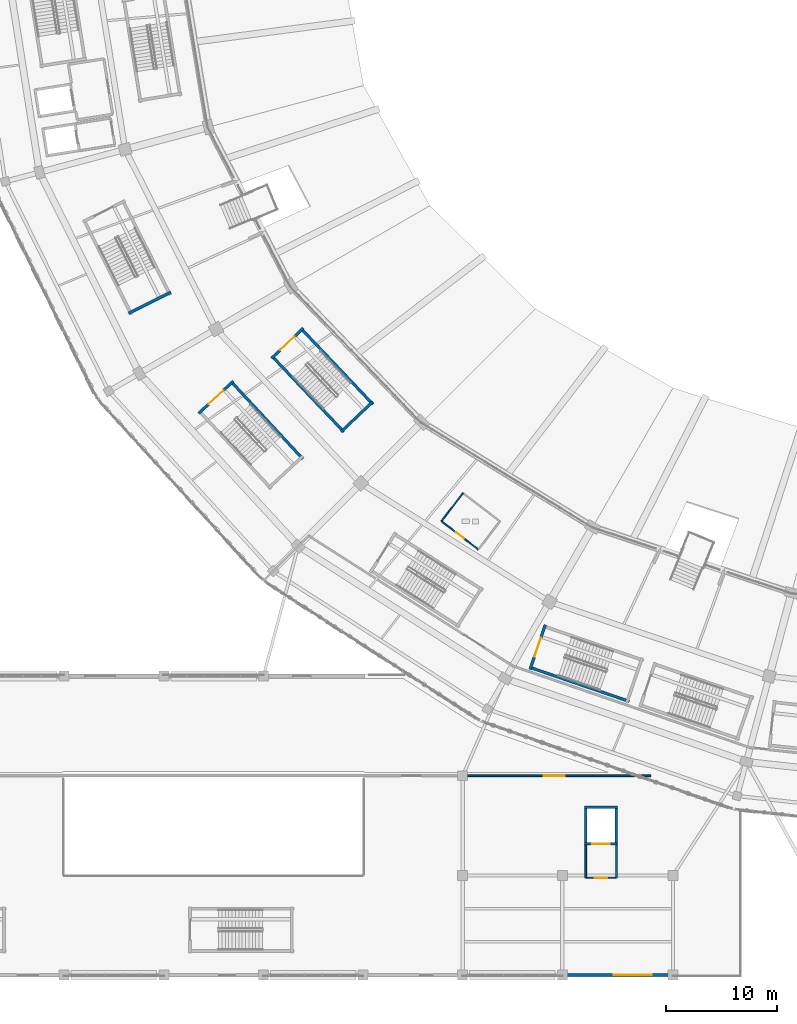
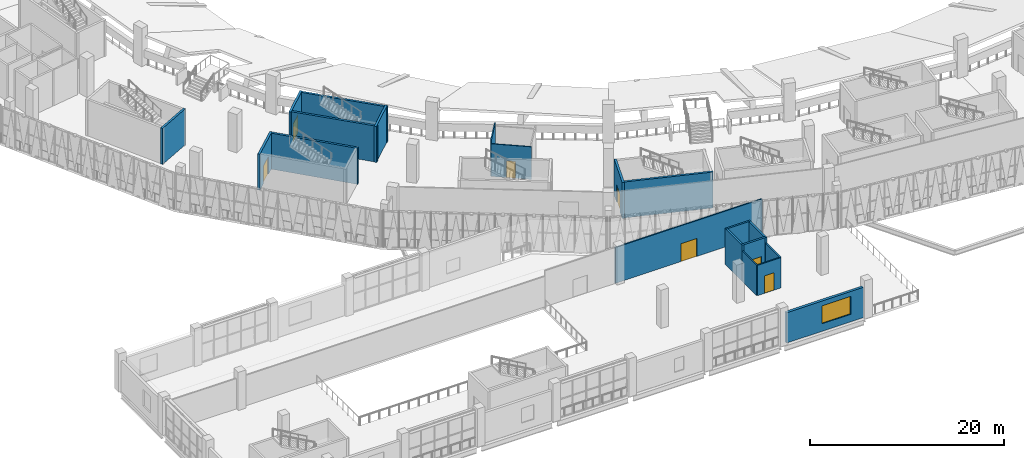
# One storey, part 98 of 183: 20 walls, 7 doors, 1 window, 8 openings.
"""IFC4 building model written with IfcOpenShell, lengths in metres."""

from ifc_helpers import new_model, si_unit, direction, frame, frame_2d, origin, place, context, subcontext, project, spatial, rectangle, extrude, material, layer, layer_set, type_object, element, fill, save


model = new_model("IFC4")

# Units and contexts
model_context = context("Model", 3, precision=1e-05, world=origin(), true_north=direction((0.0, 1.0)))
body_context = subcontext(model_context, "Body", "Model", "MODEL_VIEW")
ifc_project = project(units=[si_unit("LENGTHUNIT", "METRE"), si_unit("AREAUNIT", "SQUARE_METRE"), si_unit("VOLUMEUNIT", "CUBIC_METRE"), si_unit("PLANEANGLEUNIT", "RADIAN"), si_unit("MASSUNIT", "GRAM", prefix="KILO")], contexts=[model_context])

# Site, building, storey
site_placement = place(None, origin())
site = spatial("IfcSite", under=ifc_project, at=site_placement, CompositionType="ELEMENT")
building_placement = place(site_placement, origin())
building = spatial("IfcBuilding", under=site, at=building_placement, Name="Zevraka Park Crest Stadium", CompositionType="ELEMENT")
storey_placement = place(building_placement, frame((0.0, 0.0, 5.39990234375)))
storey = spatial("IfcBuildingStorey", under=building, at=storey_placement, Name="L01", CompositionType="ELEMENT", Elevation=5.39990234375)

# Wall, opening, window
ifc_material_1 = material(Name="Limestone and red clay brick masonry", Category="masonry")
ifc_layer_1 = layer(ifc_material_1, 0.300048828125)
ifc_layer_set_1 = layer_set([ifc_layer_1], Name="Limestone and red clay brick masonry")
wall_type_1 = type_object("IfcWallType", Name="EW02", PredefinedType="STANDARD", material=ifc_layer_set_1)
wall_1_placement = place(storey_placement, frame((81.574951171875, 0.0, 0.0), z_axis=(0.0, 0.0, 1.0), x_axis=(-1.0, 0.0, 0.0)))
wall_1 = element("IfcWall", 1, at=wall_1_placement, inside=storey, type_object=wall_type_1, Name="Wing External Cavity Wall EW02 L01-SW-S1-1", PredefinedType="STANDARD", context=body_context, shape_type="SweptSolid", body=[
    extrude(rectangle(XDim=9.14990234375, YDim=0.300048828125, at=frame_2d((4.574951171875, 0.0))), origin(), (0.0, 0.0, 1.0), 3.8037109375),
])
opening_1_placement = place(wall_1_placement, frame((1.5029296875, 0.0, 0.949951171875)))
opening_1 = element("IfcOpeningElement", 2, at=opening_1_placement, cuts=wall_1, Name="Opening WN24", PredefinedType="OPENING", context=body_context, shape_type="SweptSolid", body=[
    extrude(rectangle(XDim=3.39990234375, YDim=2.25, at=frame_2d((1.699951171875, 1.125))), frame((0.0, 0.159912109375, 0.0), z_axis=(0.0, -1.0, 0.0), x_axis=(1.0, 0.0, 0.0)), (0.0, 0.0, 1.0), 0.320068359375),
])
ifc_material_2 = material(Name="Solar-control laminated double glazing in aluminium frame", Category="aluminium")
window_type = type_object("IfcWindowType", Name="WN24", PartitioningType="SINGLE_PANEL", PredefinedType="WINDOW", material=ifc_material_2)
window_placement = place(opening_1_placement, origin())
window = element("IfcWindow", 3, at=window_placement, inside=storey, type_object=window_type, Name="Facade Casement Window WN24 W-L01-065", OverallHeight=2.25, OverallWidth=3.39990234375, PartitioningType="SINGLE_PANEL", PredefinedType="WINDOW", context=body_context, shape_type="SweptSolid", body=[
    extrude(rectangle(XDim=3.39990234375, YDim=2.25, at=frame_2d((1.699951171875, 1.125))), frame((0.0, 0.030029296875, 0.0), z_axis=(0.0, -1.0, 0.0), x_axis=(1.0, 0.0, 0.0)), (0.0, 0.0, 1.0), 0.06005859375),
])
fill(opening_1, window)

# Walls
ifc_material_3 = material(Name="Fire-rated twin-stud acoustic drywall", Category="other")
ifc_layer_2 = layer(ifc_material_3, 0.159912109375)
ifc_layer_set_2 = layer_set([ifc_layer_2], Name="Fire-rated twin-stud acoustic drywall")
wall_type_2 = type_object("IfcWallType", Name="IW02", PredefinedType="PARTITIONING", material=ifc_layer_set_2)
for number, where, z_axis, x_axis, name in (
    (4, (74.110107421875, 11.75, 0.0), (0.0, 0.0, 1.0), (0.0, -1.0, 0.0), "Goods Lift Lobby Wall IW02 GL02 L01 LEFT"),
    (5, (76.889892578125, 11.75, 0.0), (0.0, 0.0, 1.0), (0.0, -1.0, 0.0), "Goods Lift Lobby Wall IW02 GL02 L01 RIGHT"),
):
    element("IfcWall", number, at=place(storey_placement, frame(where, z_axis=z_axis, x_axis=x_axis)), inside=storey, type_object=wall_type_2, Name=name, PredefinedType="PARTITIONING", context=body_context, shape_type="SweptSolid", body=[
        extrude(rectangle(XDim=2.969970703125, YDim=0.159912109375, at=frame_2d((1.48486328125, 0.0))), origin(), (0.0, 0.0, 1.0), 3.8037109375),
    ])

# Wall, opening, door
wall_2_placement = place(storey_placement, frame((74.110107421875, 8.780029296875, 0.0), z_axis=(0.0, 0.0, 1.0), x_axis=(1.0, 0.0, 0.0)))
wall_2 = element("IfcWall", 6, at=wall_2_placement, inside=storey, type_object=wall_type_2, Name="Goods Lift Lobby Wall IW02 GL02 L01 FRONT", PredefinedType="PARTITIONING", context=body_context, shape_type="SweptSolid", body=[
    extrude(rectangle(XDim=2.77978515625, YDim=0.159912109375, at=frame_2d((1.389892578125, 0.0))), origin(), (0.0, 0.0, 1.0), 3.8037109375),
])
opening_2_placement = place(wall_2_placement, frame((0.81494140625, 0.0, 0.0)))
opening_2 = element("IfcOpeningElement", 7, at=opening_2_placement, cuts=wall_2, Name="Opening D-L01-334", PredefinedType="OPENING", context=body_context, shape_type="SweptSolid", body=[
    extrude(rectangle(XDim=1.14990234375, YDim=2.199951171875, at=frame_2d((0.574951171875, 1.10009765625))), frame((0.0, 0.08984375, 0.0), z_axis=(0.0, -1.0, 0.0), x_axis=(1.0, 0.0, 0.0)), (0.0, 0.0, 1.0), 0.179931640625),
])
ifc_material_4 = material(Name="Solid-core hardwood timber leaf in steel frame", Category="steel")
door_type_1 = type_object("IfcDoorType", Name="DR03", OperationType="NOTDEFINED", PredefinedType="DOOR", material=ifc_material_4)
door_1_placement = place(opening_2_placement, origin())
door_1 = element("IfcDoor", 8, at=door_1_placement, inside=storey, type_object=door_type_1, Name="Goods Lift Lobby GL02 Door D-L01-334", OperationType="SINGLE_SWING_RIGHT", OverallHeight=2.199951171875, OverallWidth=1.14990234375, PredefinedType="DOOR", context=body_context, shape_type="SweptSolid", body=[
    extrude(rectangle(XDim=1.14990234375, YDim=2.199951171875, at=frame_2d((0.574951171875, 1.10009765625))), frame((0.0, 0.02490234375, 0.0), z_axis=(0.0, -1.0, 0.0), x_axis=(1.0, 0.0, 0.0)), (0.0, 0.0, 1.0), 0.050048828125),
])
fill(opening_2, door_1)

ifc_material_5 = material(Name="Moisture-resistant sanitary partition", Category="other")
ifc_layer_3 = layer(ifc_material_5, 0.1201171875)
ifc_layer_set_3 = layer_set([ifc_layer_3], Name="Moisture-resistant sanitary partition")
wall_type_3 = type_object("IfcWallType", Name="IW04", PredefinedType="PARTITIONING", material=ifc_layer_set_3)
wall_3_placement = place(storey_placement, frame((64.4169921875, 38.43994140625, 0.0), z_axis=(0.0, 0.0, 1.0), x_axis=(-0.793422930273, 0.608670726844, 0.0)))
wall_3 = element("IfcWall", 9, at=wall_3_placement, inside=storey, type_object=wall_type_3, Name="Sanitary Enclosure Wall IW04 Accessible WC L01-003-3", PredefinedType="PARTITIONING", context=body_context, shape_type="SweptSolid", body=[
    extrude(rectangle(XDim=4.199462890625, YDim=0.1201171875, at=frame_2d((2.099609375, 0.0))), origin(), (0.0, 0.0, 1.0), 4.087158203125),
])
opening_3_placement = place(wall_3_placement, frame((1.64990234375, 0.0, 0.0)))
opening_3 = element("IfcOpeningElement", 10, at=opening_3_placement, cuts=wall_3, Name="Opening D-L01-342", PredefinedType="OPENING", context=body_context, shape_type="SweptSolid", body=[
    extrude(rectangle(XDim=0.89990234375, YDim=2.10009765625, at=frame_2d((0.449951171875, 1.050048828125))), frame((0.0, 0.070068359375, 0.0), z_axis=(0.0, -1.0, 0.0), x_axis=(1.0, 0.0, 0.0)), (0.0, 0.0, 1.0), 0.14013671875),
])
ifc_material_6 = material(Name="Solid-core hardwood timber leaf in steel frame", Category="steel")
door_type_2 = type_object("IfcDoorType", Name="DR01", OperationType="NOTDEFINED", PredefinedType="DOOR", material=ifc_material_6)
door_2_placement = place(opening_3_placement, origin())
door_2 = element("IfcDoor", 11, at=door_2_placement, inside=storey, type_object=door_type_2, Name="Accessible WC Door D-L01-342", OperationType="SINGLE_SWING_RIGHT", OverallHeight=2.10009765625, OverallWidth=0.89990234375, PredefinedType="DOOR", context=body_context, shape_type="SweptSolid", body=[
    extrude(rectangle(XDim=0.89990234375, YDim=2.10009765625, at=frame_2d((0.449951171875, 1.050048828125))), frame((0.0, 0.02490234375, 0.0), z_axis=(0.0, -1.0, 0.0), x_axis=(1.0, 0.0, 0.0)), (0.0, 0.0, 1.0), 0.050048828125),
])
fill(opening_3, door_2)

# Wall
wall_4_placement = place(storey_placement, frame((61.0849609375, 40.99609375, 0.0), z_axis=(0.0, 0.0, 1.0), x_axis=(0.60874061967, 0.793369307425, 0.0)))
element("IfcWall", 12, at=wall_4_placement, inside=storey, type_object=wall_type_3, Name="Sanitary Enclosure Wall IW04 Accessible WC L01-003-4", PredefinedType="PARTITIONING", context=body_context, shape_type="SweptSolid", body=[
    extrude(rectangle(XDim=3.199951171875, YDim=0.1201171875, at=frame_2d((1.60009765625, 0.0))), origin(), (0.0, 0.0, 1.0), 4.5),
])

# Wall, opening, door
ifc_material_7 = material(Name="Fire-rated twin-stud acoustic drywall", Category="other")
ifc_layer_4 = layer(ifc_material_7, 0.14990234375)
ifc_layer_set_4 = layer_set([ifc_layer_4], Name="Fire-rated twin-stud acoustic drywall")
wall_type_4 = type_object("IfcWallType", Name="IW05", PredefinedType="PARTITIONING", material=ifc_layer_set_4)
wall_5_placement = place(storey_placement, frame((62.550048828125, 18.0, 0.0), z_axis=(0.0, 0.0, 1.0), x_axis=(1.0, 0.0, 0.0)))
wall_5 = element("IfcWall", 13, at=wall_5_placement, inside=storey, type_object=wall_type_4, Name="Interior Partition IW05 Broadcast Technical Operations Compound L01", PredefinedType="PARTITIONING", context=body_context, shape_type="SweptSolid", body=[
    extrude(rectangle(XDim=17.449951171875, YDim=0.14990234375, at=frame_2d((8.72509765625, 0.0))), origin(), (0.0, 0.0, 1.0), 4.5),
])
opening_4_placement = place(wall_5_placement, frame((7.77490234375, 0.0, 0.0)))
opening_4 = element("IfcOpeningElement", 14, at=opening_4_placement, cuts=wall_5, Name="Opening D-L01-392", PredefinedType="OPENING", context=body_context, shape_type="SweptSolid", body=[
    extrude(rectangle(XDim=1.89990234375, YDim=2.25, at=frame_2d((0.949951171875, 1.125))), frame((0.0, 0.0849609375, 0.0), z_axis=(0.0, -1.0, 0.0), x_axis=(1.0, 0.0, 0.0)), (0.0, 0.0, 1.0), 0.169921875),
])
ifc_material_8 = material(Name="Solid-core hardwood timber leaf in steel frame", Category="steel")
door_type_3 = type_object("IfcDoorType", Name="DR15", OperationType="NOTDEFINED", PredefinedType="DOOR", material=ifc_material_8)
door_3_placement = place(opening_4_placement, origin())
door_3 = element("IfcDoor", 15, at=door_3_placement, inside=storey, type_object=door_type_3, Name="Broadcast Technical Operations Compound Door D-L01-392", OperationType="DOUBLE_DOOR_SINGLE_SWING", OverallHeight=2.25, OverallWidth=1.89990234375, PredefinedType="DOOR", context=body_context, shape_type="SweptSolid", body=[
    extrude(rectangle(XDim=1.89990234375, YDim=2.25, at=frame_2d((0.949951171875, 1.125))), frame((0.0, 0.02490234375, 0.0), z_axis=(0.0, -1.0, 0.0), x_axis=(1.0, 0.0, 0.0)), (0.0, 0.0, 1.0), 0.050048828125),
])
fill(opening_4, door_3)

# Walls
ifc_material_9 = material(Name="Concrete C40/50", Category="concrete")
ifc_layer_5 = layer(ifc_material_9, 0.25)
ifc_layer_set_5 = layer_set([ifc_layer_5], Name="Concrete C40/50")
wall_type_5 = type_object("IfcWallType", Name="SW01", PredefinedType="SHEAR", material=ifc_layer_set_5)
wall_6_placement = place(storey_placement, frame((32.828125, 59.776611328125, 0.0), z_axis=(0.0, 0.0, 1.0), x_axis=(0.89409454548, 0.447878268888, 0.0)))
element("IfcWall", 16, at=wall_6_placement, inside=storey, type_object=wall_type_5, Name="Stair Core Shear Wall SW01 ST14 L01 far", PredefinedType="SHEAR", context=body_context, shape_type="SweptSolid", body=[
    extrude(rectangle(XDim=4.260009765625, YDim=0.25, at=frame_2d((2.1298828125, 0.0))), origin(), (0.0, 0.0, 1.0), 4.52001953125),
])
wall_7_placement = place(storey_placement, frame((48.568115234375, 46.61962890625, 0.0), z_axis=(0.0, 0.0, 1.0), x_axis=(-0.680271637111, 0.732960094236, 0.0)))
element("IfcWall", 17, at=wall_7_placement, inside=storey, type_object=wall_type_5, Name="Stair Core Shear Wall SW01 ST15 L01 right", PredefinedType="SHEAR", context=body_context, shape_type="SweptSolid", body=[
    extrude(rectangle(XDim=9.550048828125, YDim=0.25, at=frame_2d((4.77490234375, 0.0))), origin(), (0.0, 0.0, 1.0), 4.52001953125),
])

# Wall, opening, door
wall_8_placement = place(storey_placement, frame((42.28125, 53.6435546875, 0.0), z_axis=(0.0, 0.0, 1.0), x_axis=(-0.732977166505, -0.680253242096, 0.0)))
wall_8 = element("IfcWall", 18, at=wall_8_placement, inside=storey, type_object=wall_type_5, Name="Stair Core Shear Wall SW01 ST15 L01 near", PredefinedType="SHEAR", context=body_context, shape_type="SweptSolid", body=[
    extrude(rectangle(XDim=4.260009765625, YDim=0.25, at=frame_2d((2.1298828125, 0.0))), origin(), (0.0, 0.0, 1.0), 4.52001953125),
])
opening_5_placement = place(wall_8_placement, frame((1.22998046875, 0.0, 0.0)))
opening_5 = element("IfcOpeningElement", 19, at=opening_5_placement, cuts=wall_8, Name="Opening D-L01-089", PredefinedType="OPENING", context=body_context, shape_type="SweptSolid", body=[
    extrude(rectangle(XDim=1.800048828125, YDim=2.25, at=frame_2d((0.89990234375, 1.125))), frame((0.0, 0.135009765625, 0.0), z_axis=(0.0, -1.0, 0.0), x_axis=(1.0, 0.0, 0.0)), (0.0, 0.0, 1.0), 0.27001953125),
])
ifc_material_10 = material(Name="Solid-core hardwood timber leaf in steel frame", Category="steel")
door_type_4 = type_object("IfcDoorType", Name="DR04", OperationType="NOTDEFINED", PredefinedType="DOOR", material=ifc_material_10)
door_4_placement = place(opening_5_placement, origin())
door_4 = element("IfcDoor", 20, at=door_4_placement, inside=storey, type_object=door_type_4, Name="Protected Stair Entry Door ST15 L01", OperationType="DOUBLE_DOOR_SINGLE_SWING", OverallHeight=2.25, OverallWidth=1.800048828125, PredefinedType="DOOR", context=body_context, shape_type="SweptSolid", body=[
    extrude(rectangle(XDim=1.800048828125, YDim=2.25, at=frame_2d((0.89990234375, 1.125))), frame((0.0, 0.02490234375, 0.0), z_axis=(0.0, -1.0, 0.0), x_axis=(1.0, 0.0, 0.0)), (0.0, 0.0, 1.0), 0.050048828125),
])
fill(opening_5, door_4)

# Wall
wall_9_placement = place(storey_placement, frame((69.023681640625, 27.809326171875, 0.0), z_axis=(0.0, 0.0, 1.0), x_axis=(0.946064424228, -0.323978556712, 0.0)))
element("IfcWall", 21, at=wall_9_placement, inside=storey, type_object=wall_type_5, Name="Stair Core Shear Wall SW01 ST17 L01 left", PredefinedType="SHEAR", context=body_context, shape_type="SweptSolid", body=[
    extrude(rectangle(XDim=9.550048828125, YDim=0.25, at=frame_2d((4.77490234375, 0.0))), origin(), (0.0, 0.0, 1.0), 4.52001953125),
])

# Wall, opening, door
wall_10_placement = place(storey_placement, frame((70.466796875, 31.63818359375, 0.0), z_axis=(0.0, 0.0, 1.0), x_axis=(-0.323971192516, -0.946066946056, 0.0)))
wall_10 = element("IfcWall", 22, at=wall_10_placement, inside=storey, type_object=wall_type_5, Name="Stair Core Shear Wall SW01 ST17 L01 near", PredefinedType="SHEAR", context=body_context, shape_type="SweptSolid", body=[
    extrude(rectangle(XDim=4.260009765625, YDim=0.25, at=frame_2d((2.1298828125, 0.0))), origin(), (0.0, 0.0, 1.0), 4.52001953125),
])
opening_6_placement = place(wall_10_placement, frame((1.22998046875, 0.0, 0.0)))
opening_6 = element("IfcOpeningElement", 23, at=opening_6_placement, cuts=wall_10, Name="Opening D-L01-100", PredefinedType="OPENING", context=body_context, shape_type="SweptSolid", body=[
    extrude(rectangle(XDim=1.800048828125, YDim=2.25, at=frame_2d((0.89990234375, 1.125))), frame((0.0, 0.135009765625, 0.0), z_axis=(0.0, -1.0, 0.0), x_axis=(1.0, 0.0, 0.0)), (0.0, 0.0, 1.0), 0.27001953125),
])
door_5_placement = place(opening_6_placement, origin())
door_5 = element("IfcDoor", 24, at=door_5_placement, inside=storey, type_object=door_type_4, Name="Protected Stair Entry Door ST17 L01", OperationType="DOUBLE_DOOR_SINGLE_SWING", OverallHeight=2.25, OverallWidth=1.800048828125, PredefinedType="DOOR", context=body_context, shape_type="SweptSolid", body=[
    extrude(rectangle(XDim=1.800048828125, YDim=2.25, at=frame_2d((0.89990234375, 1.125))), frame((0.0, 0.02490234375, 0.0), z_axis=(0.0, -1.0, 0.0), x_axis=(1.0, 0.0, 0.0)), (0.0, 0.0, 1.0), 0.050048828125),
])
fill(opening_6, door_5)

# Walls
for number, where, z_axis, x_axis, name in (
    (25, (45.767822265625, 55.916259765625, 0.0), (0.0, 0.0, 1.0), (0.68832701945, -0.725400519916, 0.0), "Stair Core Shear Wall SW01 ST40 L01 left"),
    (26, (54.8984375, 51.552978515625, 0.0), (0.0, 0.0, 1.0), (-0.68832701945, 0.725400519916, 0.0), "Stair Core Shear Wall SW01 ST40 L01 right"),
):
    element("IfcWall", number, at=place(storey_placement, frame(where, z_axis=z_axis, x_axis=x_axis)), inside=storey, type_object=wall_type_5, Name=name, PredefinedType="SHEAR", context=body_context, shape_type="SweptSolid", body=[
        extrude(rectangle(XDim=9.449951171875, YDim=0.25, at=frame_2d((4.72509765625, 0.0))), origin(), (0.0, 0.0, 1.0), 4.52001953125),
    ])

# Wall, opening, door
wall_11_placement = place(storey_placement, frame((48.603271484375, 58.434326171875, 0.0), z_axis=(0.0, 0.0, 1.0), x_axis=(-0.725390288694, -0.688337801569, 0.0)))
wall_11 = element("IfcWall", 27, at=wall_11_placement, inside=storey, type_object=wall_type_5, Name="Stair Core Shear Wall SW01 ST40 L01 near", PredefinedType="SHEAR", context=body_context, shape_type="SweptSolid", body=[
    extrude(rectangle(XDim=3.9599609375, YDim=0.25, at=frame_2d((1.97998046875, 0.0))), origin(), (0.0, 0.0, 1.0), 4.52001953125),
])
opening_7_placement = place(wall_11_placement, frame((1.080078125, 0.0, 0.0)))
opening_7 = element("IfcOpeningElement", 28, at=opening_7_placement, cuts=wall_11, Name="Opening D-L01-215", PredefinedType="OPENING", context=body_context, shape_type="SweptSolid", body=[
    extrude(rectangle(XDim=1.800048828125, YDim=2.25, at=frame_2d((0.89990234375, 1.125))), frame((0.0, 0.135009765625, 0.0), z_axis=(0.0, -1.0, 0.0), x_axis=(1.0, 0.0, 0.0)), (0.0, 0.0, 1.0), 0.27001953125),
])
door_6_placement = place(opening_7_placement, origin())
door_6 = element("IfcDoor", 29, at=door_6_placement, inside=storey, type_object=door_type_4, Name="Protected Stair Entry Door ST40 L01", OperationType="DOUBLE_DOOR_SINGLE_SWING", OverallHeight=2.25, OverallWidth=1.800048828125, PredefinedType="DOOR", context=body_context, shape_type="SweptSolid", body=[
    extrude(rectangle(XDim=1.800048828125, YDim=2.25, at=frame_2d((0.89990234375, 1.125))), frame((0.0, 0.02490234375, 0.0), z_axis=(0.0, -1.0, 0.0), x_axis=(1.0, 0.0, 0.0)), (0.0, 0.0, 1.0), 0.050048828125),
])
fill(opening_7, door_6)

# Wall
wall_12_placement = place(storey_placement, frame((52.02197265625, 49.078369140625, 0.0), z_axis=(0.0, 0.0, 1.0), x_axis=(0.725390288694, 0.688337801569, 0.0)))
element("IfcWall", 30, at=wall_12_placement, inside=storey, type_object=wall_type_5, Name="Stair Core Shear Wall SW01 ST40 L01 far", PredefinedType="SHEAR", context=body_context, shape_type="SweptSolid", body=[
    extrude(rectangle(XDim=3.9599609375, YDim=0.25, at=frame_2d((1.97998046875, 0.0))), origin(), (0.0, 0.0, 1.0), 4.52001953125),
])

# Wall, opening, door
ifc_material_11 = material(Name="Concrete C40/50", Category="concrete")
ifc_layer_6 = layer(ifc_material_11, 0.219970703125)
ifc_layer_set_6 = layer_set([ifc_layer_6], Name="Concrete C40/50")
wall_type_6 = type_object("IfcWallType", Name="SW02", PredefinedType="SHEAR", material=ifc_layer_set_6)
wall_13_placement = place(storey_placement, frame((74.030029296875, 11.840087890625, 0.0), z_axis=(0.0, 0.0, 1.0), x_axis=(1.0, 0.0, 0.0)))
wall_13 = element("IfcWall", 31, at=wall_13_placement, inside=storey, type_object=wall_type_6, Name="Lift Shaft Shear Wall SW02 GL02 L01-1", PredefinedType="SHEAR", context=body_context, shape_type="SweptSolid", body=[
    extrude(rectangle(XDim=2.93994140625, YDim=0.219970703125, at=frame_2d((1.469970703125, 0.0))), origin(), (0.0, 0.0, 1.0), 4.52001953125),
])
opening_8_placement = place(wall_13_placement, frame((0.669921875, 0.0, 0.0)))
opening_8 = element("IfcOpeningElement", 32, at=opening_8_placement, cuts=wall_13, Name="Opening LD-GL02-L01", PredefinedType="OPENING", context=body_context, shape_type="SweptSolid", body=[
    extrude(rectangle(XDim=1.60009765625, YDim=2.300048828125, at=frame_2d((0.800048828125, 1.14990234375))), frame((0.0, 0.119873046875, 0.0), z_axis=(0.0, -1.0, 0.0), x_axis=(1.0, 0.0, 0.0)), (0.0, 0.0, 1.0), 0.239990234375),
])
ifc_material_12 = material(Name="Brushed stainless steel lift landing doors", Category="steel")
door_type_5 = type_object("IfcDoorType", Name="LD03", OperationType="NOTDEFINED", PredefinedType="DOOR", material=ifc_material_12)
door_7_placement = place(opening_8_placement, origin())
door_7 = element("IfcDoor", 33, at=door_7_placement, inside=storey, type_object=door_type_5, Name="Lift Sliding Landing Door LD-GL02-L01", OperationType="SLIDING_TO_LEFT", OverallHeight=2.300048828125, OverallWidth=1.60009765625, PredefinedType="DOOR", context=body_context, shape_type="SweptSolid", body=[
    extrude(rectangle(XDim=1.60009765625, YDim=2.300048828125, at=frame_2d((0.800048828125, 1.14990234375))), frame((0.0, 0.02490234375, 0.0), z_axis=(0.0, -1.0, 0.0), x_axis=(1.0, 0.0, 0.0)), (0.0, 0.0, 1.0), 0.050048828125),
])
fill(opening_8, door_7)

# Walls
wall_14_placement = place(storey_placement, frame((76.860107421875, 11.72998046875, 0.0), z_axis=(0.0, 0.0, 1.0), x_axis=(0.0, 1.0, 0.0)))
element("IfcWall", 34, at=wall_14_placement, inside=storey, type_object=wall_type_6, Name="Lift Shaft Shear Wall SW02 GL02 L01-2", PredefinedType="SHEAR", context=body_context, shape_type="SweptSolid", body=[
    extrude(rectangle(XDim=3.5400390625, YDim=0.219970703125, at=frame_2d((1.77001953125, 0.0))), origin(), (0.0, 0.0, 1.0), 4.52001953125),
])
wall_15_placement = place(storey_placement, frame((76.969970703125, 15.159912109375, 0.0), z_axis=(0.0, 0.0, 1.0), x_axis=(-1.0, 0.0, 0.0)))
element("IfcWall", 35, at=wall_15_placement, inside=storey, type_object=wall_type_6, Name="Lift Shaft Shear Wall SW02 GL02 L01-3", PredefinedType="SHEAR", context=body_context, shape_type="SweptSolid", body=[
    extrude(rectangle(XDim=2.93994140625, YDim=0.219970703125, at=frame_2d((1.469970703125, 0.0))), origin(), (0.0, 0.0, 1.0), 4.52001953125),
])
wall_16_placement = place(storey_placement, frame((74.139892578125, 15.27001953125, 0.0), z_axis=(0.0, 0.0, 1.0), x_axis=(0.0, -1.0, 0.0)))
element("IfcWall", 36, at=wall_16_placement, inside=storey, type_object=wall_type_6, Name="Lift Shaft Shear Wall SW02 GL02 L01-4", PredefinedType="SHEAR", context=body_context, shape_type="SweptSolid", body=[
    extrude(rectangle(XDim=3.5400390625, YDim=0.219970703125, at=frame_2d((1.77001953125, 0.0))), origin(), (0.0, 0.0, 1.0), 4.52001953125),
])

save(model, "model.ifc")
